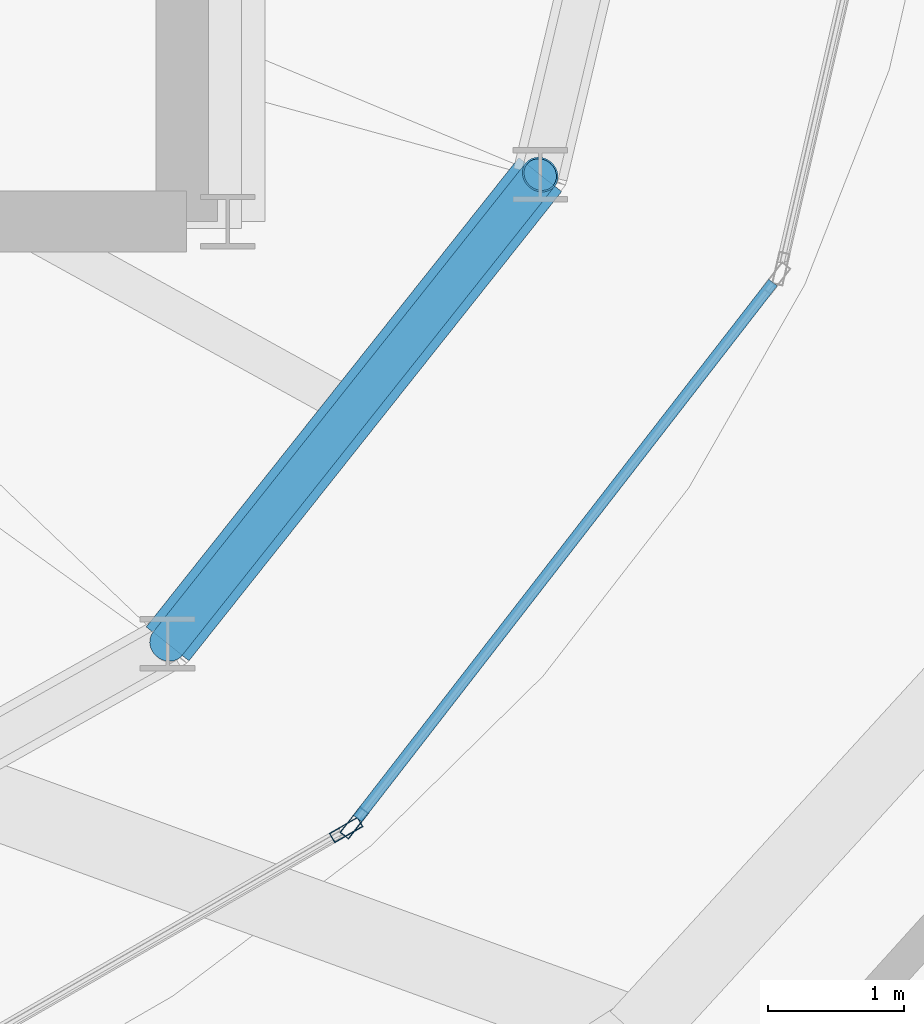
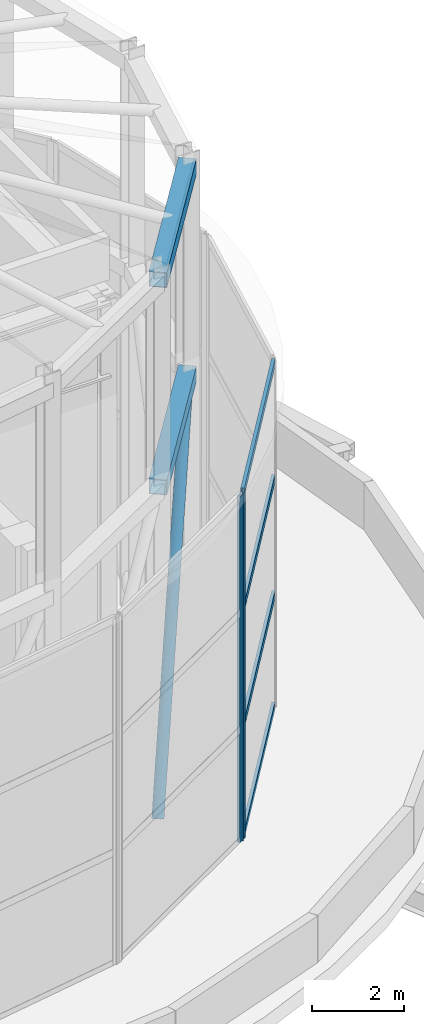
# One storey, part 8 of 22: 7 members, 2 beams, 2 elements without a shape of their own.
"""IFC4 building model written with IfcOpenShell, lengths in metres."""

from ifc_helpers import new_model, si_unit, direction, frame, origin, origin_2d, place, context, subcontext, project, spatial, hollow_rectangle, hollow_circle, extrude, material, layer, layer_set, material_profile, profile_set, type_object, element, aggregate, save


model = new_model("IFC4")

# Units and contexts
model_context = context("Model", 3, precision=1e-05, world=origin(), true_north=direction((0.0, 1.0)))
body_context = subcontext(model_context, "Body", "Model", "MODEL_VIEW")
ifc_project = project(units=[si_unit("LENGTHUNIT", "METRE"), si_unit("AREAUNIT", "SQUARE_METRE"), si_unit("VOLUMEUNIT", "CUBIC_METRE"), si_unit("PLANEANGLEUNIT", "RADIAN"), si_unit("MASSUNIT", "GRAM", prefix="KILO")], contexts=[model_context])

# Site, building, storey
site_placement = place(None, origin())
site = spatial("IfcSite", under=ifc_project, at=site_placement, CompositionType="ELEMENT")
building_placement = place(site_placement, origin())
building = spatial("IfcBuilding", under=site, at=building_placement, Name="Nuhasar Tower", CompositionType="ELEMENT")
storey_placement = place(building_placement, frame((0.0, 0.0, 313.39990234375)))
storey = spatial("IfcBuildingStorey", under=building, at=storey_placement, Name="Roof Drum", CompositionType="ELEMENT", Elevation=313.39990234375)

# Beams
ifc_material_1 = material(Name="Steel S355", Category="steel")
ifc_material_profile_1 = material_profile(ifc_material_1, hollow_rectangle(XDim=0.39990234375, YDim=0.39990234375, WallThickness=0.01611328125, at=origin_2d()), Name="HSS400X400X16")
ifc_profile_set_1 = profile_set([ifc_material_profile_1], Name="Steel S355")
beam_type = type_object("IfcBeamType", Name="BM-CRN-HSS400", PredefinedType="SPANDREL", material=ifc_profile_set_1)
for number, where, z_axis, x_axis, name in (
    (1, (47.909912109375, 19.304931640625, 9.02001953125), (0.621918241488, 0.783082180173, 0.0), (-0.783082180173, 0.621918241488, 0.0), "Crown Drum Eave Ring Beam 15"),
    (2, (47.909912109375, 19.304931640625, 14.5400390625), (0.621918241488, 0.783082180173, 0.0), (-0.783082180173, 0.621918241488, 0.0), "Crown Drum Top Ring Beam 15"),
):
    element("IfcBeam", number, at=place(storey_placement, frame(where, z_axis=z_axis, x_axis=x_axis)), inside=storey, type_object=beam_type, Name=name, PredefinedType="SPANDREL", context=body_context, shape_type="SweptSolid", body=[
        extrude(hollow_rectangle(XDim=0.39990234375, YDim=0.39990234375, WallThickness=0.01611328125, at=origin_2d()), origin(), (0.0, 0.0, 1.0), 4.3916015625),
    ])

# Member
ifc_material_profile_2 = material_profile(ifc_material_1, hollow_circle(Radius=0.136474609375, WallThickness=0.0126953125, at=origin_2d()), Name="HSS273.1X12.7")
ifc_profile_set_2 = profile_set([ifc_material_profile_2], Name="Steel S355")
member_type_1 = type_object("IfcMemberType", Name="CRN-DIAG-273", PredefinedType="BRACE", material=ifc_profile_set_2)
member_1_placement = place(storey_placement, frame((47.909912109375, 19.304931640625, 0.2001953125), z_axis=(0.277203977474, 0.349038636516, 0.895170366518), x_axis=(-0.783082180173, 0.621918241488, 0.0)))
element("IfcMember", 3, at=member_1_placement, inside=storey, type_object=member_type_1, Name="Crown Drum Frame Brace 15", PredefinedType="BRACE", context=body_context, shape_type="SweptSolid", body=[
    extrude(hollow_circle(Radius=0.136474609375, WallThickness=0.0126953125, at=origin_2d()), origin(), (0.0, 0.0, 1.0), 9.852783203125),
])

# Curtain wall, member
ifc_material_2 = material(Name="Aluminium 6063-T6", Category="aluminium")
ifc_layer = layer(ifc_material_2, 0.219970703125)
ifc_layer_set = layer_set([ifc_layer], Name="Aluminium 6063-T6")
curtain_wall_type = type_object("IfcCurtainWallType", Name="CW-CROWN", PredefinedType="NOTDEFINED", material=ifc_layer_set)
curtain_wall_1_placement = place(storey_placement, origin())
curtain_wall_1 = element("IfcCurtainWall", 4, at=curtain_wall_1_placement, inside=storey, type_object=curtain_wall_type, Name="Crown Lantern Curtain Wall 14", PredefinedType="NOTDEFINED")
ifc_material_profile_3 = material_profile(ifc_material_2, hollow_rectangle(XDim=0.080078125, YDim=0.239990234375, WallThickness=0.0048828125, at=origin_2d()), Name="CWM-7")
ifc_profile_set_3 = profile_set([ifc_material_profile_3], Name="Aluminium 6063-T6")
member_type_2 = type_object("IfcMemberType", Name="CW-MUL-S7", PredefinedType="MULLION", material=ifc_profile_set_3)
member_2_placement = place(storey_placement, frame((49.21826171875, 17.94091796875, 0.0), z_axis=(0.0, 0.0, 1.0), x_axis=(-0.499052486842, 0.866571760085, 0.0)))
member_2 = element("IfcMember", 5, at=member_2_placement, type_object=member_type_2, Name="CW-CR mullion 2", PredefinedType="MULLION", context=body_context, shape_type="SweptSolid", body=[
    extrude(hollow_rectangle(XDim=0.080078125, YDim=0.239990234375, WallThickness=0.0048828125, at=origin_2d()), origin(), (0.0, 0.0, 1.0), 9.22021484375),
])
aggregate(curtain_wall_1, [member_2])

# Curtain wall, members
curtain_wall_2_placement = place(storey_placement, origin())
curtain_wall_2 = element("IfcCurtainWall", 6, at=curtain_wall_2_placement, inside=storey, type_object=curtain_wall_type, Name="Crown Lantern Curtain Wall 15", PredefinedType="NOTDEFINED")
member_3_placement = place(storey_placement, frame((49.277587890625, 17.99267578125, 0.0), z_axis=(0.0, 0.0, 1.0), x_axis=(-0.79037966023, 0.612617329738, 0.0)))
member_3 = element("IfcMember", 7, at=member_3_placement, type_object=member_type_2, Name="CW-CR mullion 1", PredefinedType="MULLION", context=body_context, shape_type="SweptSolid", body=[
    extrude(hollow_rectangle(XDim=0.080078125, YDim=0.239990234375, WallThickness=0.0048828125, at=origin_2d()), origin(), (0.0, 0.0, 1.0), 9.22021484375),
])
ifc_material_profile_4 = material_profile(ifc_material_2, hollow_rectangle(XDim=0.080078125, YDim=0.199951171875, WallThickness=0.00439453125, at=origin_2d()), Name="CWT-7")
ifc_profile_set_4 = profile_set([ifc_material_profile_4], Name="Aluminium 6063-T6")
member_type_3 = type_object("IfcMemberType", Name="CW-TRN-S7", PredefinedType="USERDEFINED", material=ifc_profile_set_4)
member_4_placement = place(storey_placement, frame((49.302001953125, 18.024169921875, 0.0400390625), z_axis=(0.612593145714, 0.790398404492, 0.0), x_axis=(-0.790398404492, 0.612593145714, 0.0)))
member_4 = element("IfcMember", 8, at=member_4_placement, type_object=member_type_3, Name="CW-CR transom 1.1", ObjectType="TRANSOM", PredefinedType="USERDEFINED", context=body_context, shape_type="SweptSolid", body=[
    extrude(hollow_rectangle(XDim=0.080078125, YDim=0.199951171875, WallThickness=0.00439453125, at=origin_2d()), origin(), (0.0, 0.0, 1.0), 4.970458984375),
])
member_5_placement = place(storey_placement, frame((49.302001953125, 18.024169921875, 3.0), z_axis=(0.612593145714, 0.790398404492, 0.0), x_axis=(-0.790398404492, 0.612593145714, 0.0)))
member_5 = element("IfcMember", 9, at=member_5_placement, type_object=member_type_3, Name="CW-CR transom 1.2", ObjectType="TRANSOM", PredefinedType="USERDEFINED", context=body_context, shape_type="SweptSolid", body=[
    extrude(hollow_rectangle(XDim=0.080078125, YDim=0.199951171875, WallThickness=0.00439453125, at=origin_2d()), origin(), (0.0, 0.0, 1.0), 4.970458984375),
])
member_6_placement = place(storey_placement, frame((49.302001953125, 18.024169921875, 6.10009765625), z_axis=(0.612593145714, 0.790398404492, 0.0), x_axis=(-0.790398404492, 0.612593145714, 0.0)))
member_6 = element("IfcMember", 10, at=member_6_placement, type_object=member_type_3, Name="CW-CR transom 1.3", ObjectType="TRANSOM", PredefinedType="USERDEFINED", context=body_context, shape_type="SweptSolid", body=[
    extrude(hollow_rectangle(XDim=0.080078125, YDim=0.199951171875, WallThickness=0.00439453125, at=origin_2d()), origin(), (0.0, 0.0, 1.0), 4.970458984375),
])
member_7_placement = place(storey_placement, frame((49.302001953125, 18.024169921875, 9.18017578125), z_axis=(0.612593145714, 0.790398404492, 0.0), x_axis=(-0.790398404492, 0.612593145714, 0.0)))
member_7 = element("IfcMember", 11, at=member_7_placement, type_object=member_type_3, Name="CW-CR transom 1.4", ObjectType="TRANSOM", PredefinedType="USERDEFINED", context=body_context, shape_type="SweptSolid", body=[
    extrude(hollow_rectangle(XDim=0.080078125, YDim=0.199951171875, WallThickness=0.00439453125, at=origin_2d()), origin(), (0.0, 0.0, 1.0), 4.970458984375),
])
aggregate(curtain_wall_2, [member_3, member_4, member_5, member_6, member_7])

save(model, "model.ifc")
